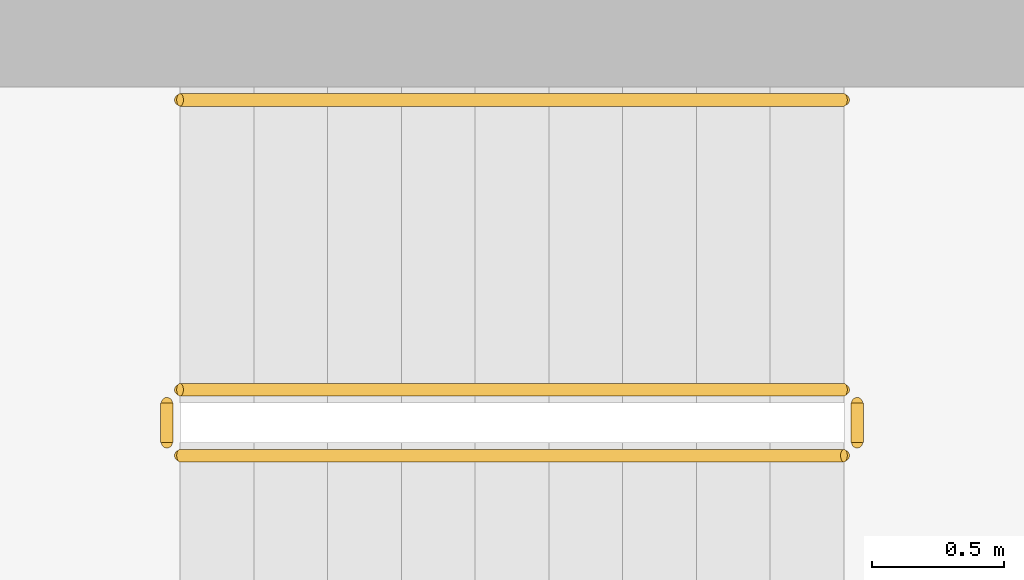
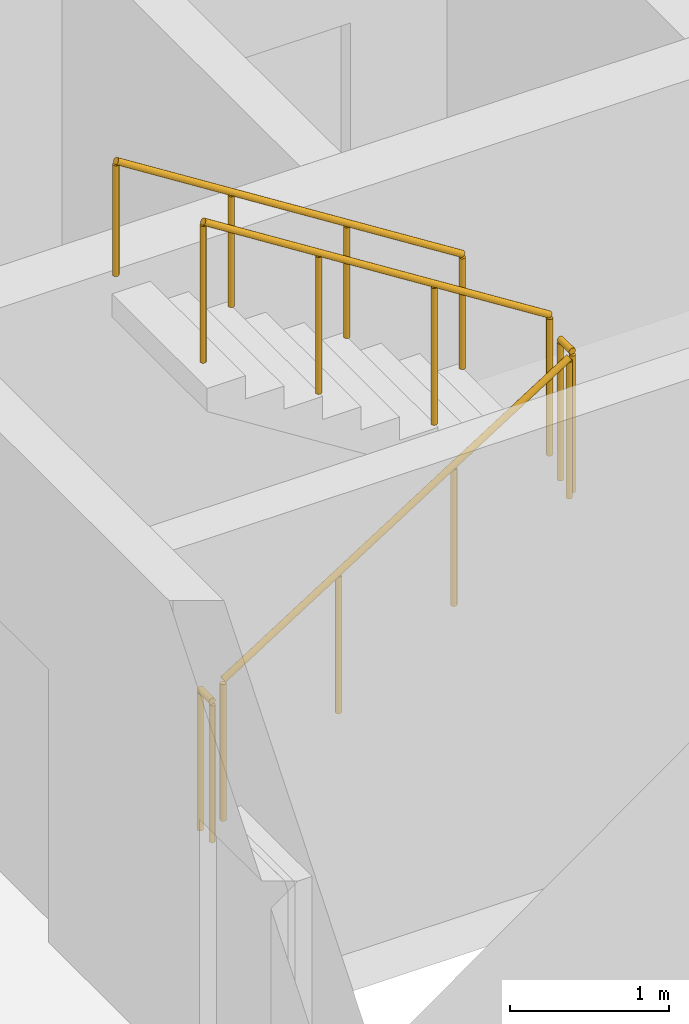
# One storey, part 15 of 17: 5 railings.
"""IFC4 building model written with IfcOpenShell, lengths in metres."""

from ifc_helpers import new_model, si_unit, direction, frame, origin, origin_2d, place, context, subcontext, project, spatial, circle, extrude, material, type_object, element, save


model = new_model("IFC4")

# Units and contexts
model_context = context("Model", 3, precision=1e-05, world=origin(), true_north=direction((0.0, 1.0)))
body_context = subcontext(model_context, "Body", "Model", "MODEL_VIEW")
ifc_project = project(units=[si_unit("LENGTHUNIT", "METRE"), si_unit("AREAUNIT", "SQUARE_METRE"), si_unit("VOLUMEUNIT", "CUBIC_METRE"), si_unit("PLANEANGLEUNIT", "RADIAN"), si_unit("MASSUNIT", "GRAM", prefix="KILO")], contexts=[model_context])

# Site, building, storey
site_placement = place(None, origin())
site = spatial("IfcSite", under=ifc_project, at=site_placement, CompositionType="ELEMENT")
building_placement = place(site_placement, origin())
building = spatial("IfcBuilding", under=site, at=building_placement, Name="Ostrand Prow Hotel Tower", CompositionType="ELEMENT")
storey_placement = place(building_placement, frame((0.0, 0.0, 133.75)))
storey = spatial("IfcBuildingStorey", under=building, at=storey_placement, Name="L32", CompositionType="ELEMENT", Elevation=133.75)

# Railings
ifc_material_1 = material(Name="Painted steel", Category="steel")
railing_type_1 = type_object("IfcRailingType", Name="Stair guard 1100", PredefinedType="GUARDRAIL", material=ifc_material_1)
railing_1_placement = place(storey_placement, frame((57.199951171875, -11.75, 0.177490234375)))
element("IfcRailing", 1, at=railing_1_placement, inside=storey, type_object=railing_type_1, Name="L32 ST2C stair guard 1", PredefinedType="GUARDRAIL", context=body_context, shape_type="SweptSolid", body=[
    extrude(circle(Radius=0.02392578125, at=origin_2d()), frame((0.0, 0.0, 1.076171875), z_axis=(0.84460694969, 0.0, 0.535386869969), x_axis=(0.0, 1.0, 0.0)), (0.0, 0.0, 1.0), 2.983642578125),
    extrude(circle(Radius=0.02099609375, at=origin_2d()), origin(), (0.0, 0.0, 1.0), 1.052001953125),
    extrude(circle(Radius=0.02099609375, at=origin_2d()), frame((0.840087890625, 0.0, 0.532470703125)), (0.0, 0.0, 1.0), 1.052001953125),
    extrude(circle(Radius=0.02099609375, at=origin_2d()), frame((1.679931640625, 0.0, 1.06494140625)), (0.0, 0.0, 1.0), 1.052001953125),
    extrude(circle(Radius=0.02099609375, at=origin_2d()), frame((2.52001953125, 0.0, 1.597412109375)), (0.0, 0.0, 1.0), 1.052001953125),
])
railing_2_placement = place(storey_placement, frame((59.77001953125, -11.699951171875, 1.77490234375)))
element("IfcRailing", 2, at=railing_2_placement, inside=storey, type_object=railing_type_1, Name="L32 ST2C stair guard 2", PredefinedType="GUARDRAIL", context=body_context, shape_type="SweptSolid", body=[
    extrude(circle(Radius=0.02392578125, at=origin_2d()), frame((0.0, 0.0, 1.076171875), z_axis=(0.0, 1.0, 0.0), x_axis=(-1.0, 0.0, 0.0)), (0.0, 0.0, 1.0), 0.14990234375),
    extrude(circle(Radius=0.02099609375, at=origin_2d()), origin(), (0.0, 0.0, 1.0), 1.052001953125),
    extrude(circle(Radius=0.02099609375, at=origin_2d()), frame((0.0, 0.14990234375, 0.0)), (0.0, 0.0, 1.0), 1.052001953125),
])
railing_3_placement = place(storey_placement, frame((59.719970703125, -11.5, 1.952392578125)))
element("IfcRailing", 3, at=railing_3_placement, inside=storey, type_object=railing_type_1, Name="L32 ST2C stair guard 3", PredefinedType="GUARDRAIL", context=body_context, shape_type="SweptSolid", body=[
    extrude(circle(Radius=0.02392578125, at=origin_2d()), frame((0.0, 0.0, 1.076171875), z_axis=(-0.84456994832, 0.0, 0.535445237532), x_axis=(0.0, -1.0, 0.0)), (0.0, 0.0, 1.0), 2.98388671875),
    extrude(circle(Radius=0.02099609375, at=origin_2d()), origin(), (0.0, 0.0, 1.0), 1.052001953125),
    extrude(circle(Radius=0.02099609375, at=origin_2d()), frame((-0.840087890625, 0.0, 0.532470703125)), (0.0, 0.0, 1.0), 1.052001953125),
    extrude(circle(Radius=0.02099609375, at=origin_2d()), frame((-1.679931640625, 0.0, 1.065185546875)), (0.0, 0.0, 1.0), 1.052001953125),
    extrude(circle(Radius=0.02099609375, at=origin_2d()), frame((-2.52001953125, 0.0, 1.59765625)), (0.0, 0.0, 1.0), 1.052001953125),
])
railing_4_placement = place(storey_placement, frame((57.14990234375, -11.699951171875, 0.0)))
element("IfcRailing", 4, at=railing_4_placement, inside=storey, type_object=railing_type_1, Name="L32 ST2C stair guard 4", PredefinedType="GUARDRAIL", context=body_context, shape_type="SweptSolid", body=[
    extrude(circle(Radius=0.02392578125, at=origin_2d()), frame((0.0, 0.0, 1.076171875), z_axis=(0.0, 1.0, 0.0), x_axis=(-1.0, 0.0, 0.0)), (0.0, 0.0, 1.0), 0.14990234375),
    extrude(circle(Radius=0.02099609375, at=origin_2d()), origin(), (0.0, 0.0, 1.0), 1.052001953125),
    extrude(circle(Radius=0.02099609375, at=origin_2d()), frame((0.0, 0.14990234375, 0.0)), (0.0, 0.0, 1.0), 1.052001953125),
])
ifc_material_2 = material(Name="Stainless steel", Category="steel")
railing_type_2 = type_object("IfcRailingType", Name="Stair handrail 900", PredefinedType="HANDRAIL", material=ifc_material_2)
railing_5_placement = place(storey_placement, frame((59.719970703125, -10.39990234375, 1.952392578125)))
element("IfcRailing", 5, at=railing_5_placement, inside=storey, type_object=railing_type_2, Name="L32 ST2C stair handrail 2", PredefinedType="HANDRAIL", context=body_context, shape_type="SweptSolid", body=[
    extrude(circle(Radius=0.02392578125, at=origin_2d()), frame((0.0, 0.0, 0.8759765625), z_axis=(-0.84456994832, 0.0, 0.535445237532), x_axis=(0.0, -1.0, 0.0)), (0.0, 0.0, 1.0), 2.98388671875),
    extrude(circle(Radius=0.02099609375, at=origin_2d()), origin(), (0.0, 0.0, 1.0), 0.851806640625),
    extrude(circle(Radius=0.02099609375, at=origin_2d()), frame((-0.840087890625, 0.0, 0.532470703125)), (0.0, 0.0, 1.0), 0.851806640625),
    extrude(circle(Radius=0.02099609375, at=origin_2d()), frame((-1.679931640625, 0.0, 1.065185546875)), (0.0, 0.0, 1.0), 0.851806640625),
    extrude(circle(Radius=0.02099609375, at=origin_2d()), frame((-2.52001953125, 0.0, 1.59765625)), (0.0, 0.0, 1.0), 0.851806640625),
])

save(model, "model.ifc")
